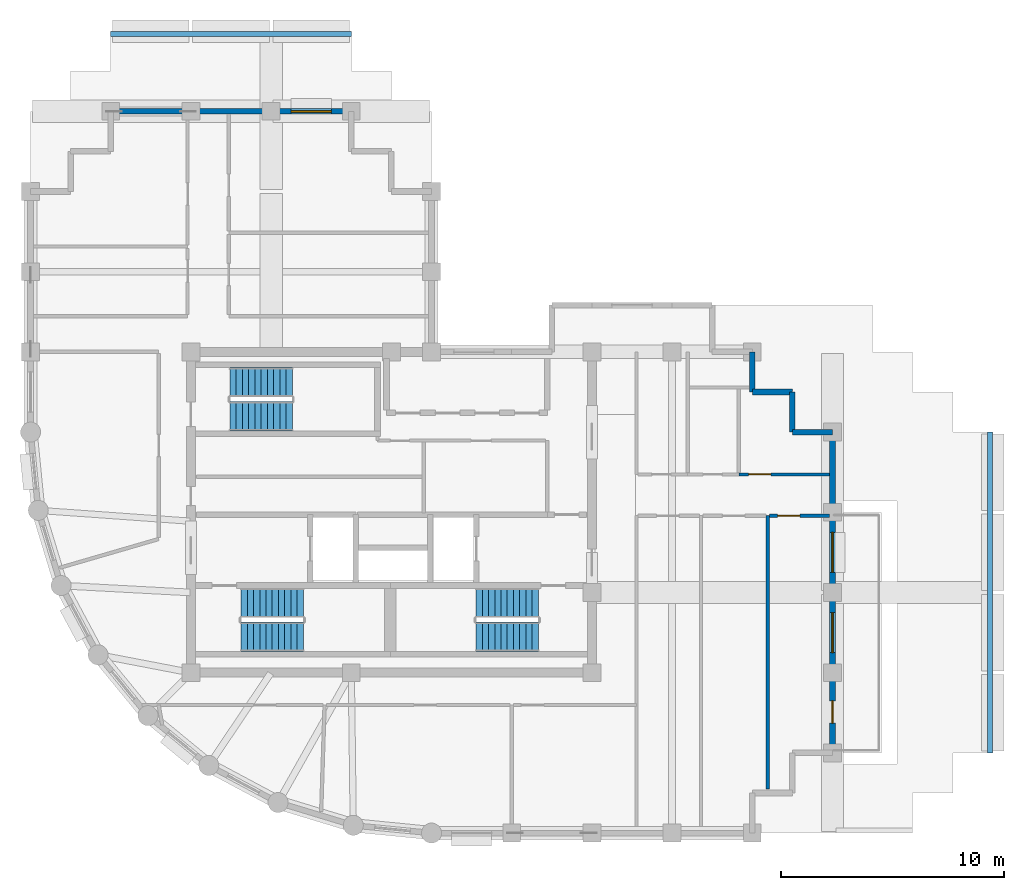
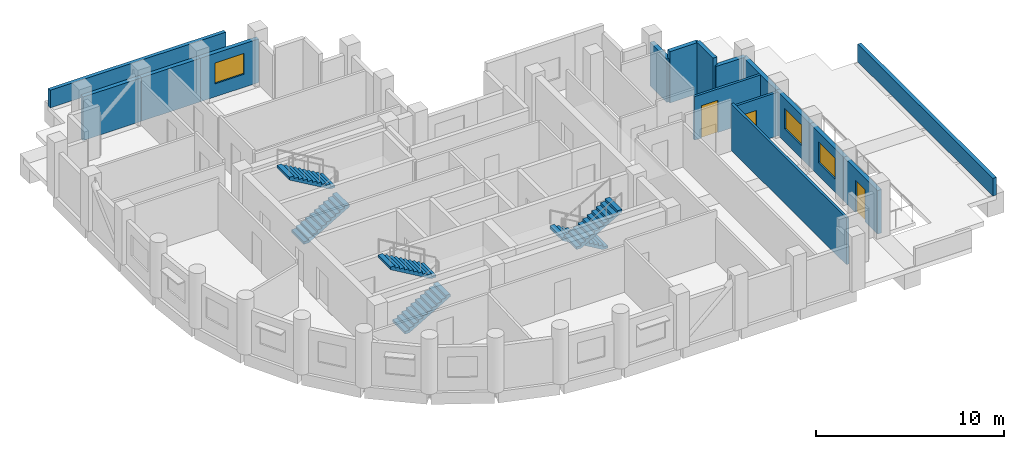
# One storey, part 5 of 7: 16 walls, 6 stair flights, 3 doors, 3 windows, 6 openings, 3 elements without a shape of their own.
"""IFC4 building model written with IfcOpenShell, lengths in metres."""

from ifc_helpers import new_model, si_unit, direction, frame, frame_2d, origin, place, context, subcontext, project, spatial, polyline, rectangle, outline, extrude, material, layer, layer_set, type_object, element, fill, aggregate, save


model = new_model("IFC4")

# Units and contexts
model_context = context("Model", 3, precision=1e-05, world=origin(), true_north=direction((0.0, 1.0)))
body_context = subcontext(model_context, "Body", "Model", "MODEL_VIEW")
ifc_project = project(units=[si_unit("LENGTHUNIT", "METRE"), si_unit("AREAUNIT", "SQUARE_METRE"), si_unit("VOLUMEUNIT", "CUBIC_METRE"), si_unit("PLANEANGLEUNIT", "RADIAN"), si_unit("MASSUNIT", "GRAM", prefix="KILO")], contexts=[model_context])

# Site, building, storey
site_placement = place(None, origin())
site = spatial("IfcSite", under=ifc_project, at=site_placement, CompositionType="ELEMENT")
building_placement = place(site_placement, origin())
building = spatial("IfcBuilding", under=site, at=building_placement, Name="Solnavia Interchange Tower", CompositionType="ELEMENT")
storey_placement = place(building_placement, frame((0.0, 0.0, 221.0)))
storey = spatial("IfcBuildingStorey", under=building, at=storey_placement, Name="L55", CompositionType="ELEMENT", Elevation=221.0)

# Wall, opening, door
ifc_material_1 = material(Name="Concrete C40/50", Category="concrete")
ifc_layer_1 = layer(ifc_material_1, 0.25)
ifc_layer_set_1 = layer_set([ifc_layer_1], Name="Concrete C40/50")
wall_type_1 = type_object("IfcWallType", Name="Wall-ExtSpandrel-250", PredefinedType="STANDARD", material=ifc_layer_set_1)
wall_1_placement = place(storey_placement, frame((43.199951171875, 10.800048828125, 0.0), z_axis=(0.0, 0.0, 1.0), x_axis=(0.0, -1.0, 0.0)))
wall_1 = element("IfcWall", 1, at=wall_1_placement, inside=storey, type_object=wall_type_1, Name="EXW-L55-09 Exterior precast spandrel wall", PredefinedType="STANDARD", context=body_context, shape_type="SweptSolid", body=[
    extrude(rectangle(XDim=3.60009765625, YDim=0.25, at=frame_2d((1.800048828125, 0.0))), origin(), (0.0, 0.0, 1.0), 2.830078125),
])
opening_1_placement = place(wall_1_placement, frame((1.260986328125, 0.0, 0.0)))
opening_1 = element("IfcOpeningElement", 2, at=opening_1_placement, cuts=wall_1, Name="Opening EXD-05", PredefinedType="OPENING", context=body_context, shape_type="SweptSolid", body=[
    extrude(rectangle(XDim=1.0, YDim=2.10009765625, at=frame_2d((0.5, 1.050048828125))), frame((0.0, 0.135009765625, 0.0), z_axis=(0.0, -1.0, 0.0), x_axis=(1.0, 0.0, 0.0)), (0.0, 0.0, 1.0), 0.27001953125),
])
ifc_material_2 = material(Name="Thermally Broken Aluminium & Laminated Glass", Category="aluminium")
door_type_1 = type_object("IfcDoorType", Name="Door-TerraceSingle-1000x2100", OperationType="SINGLE_SWING_LEFT", PredefinedType="DOOR", material=ifc_material_2)
door_1_placement = place(opening_1_placement, origin())
door_1 = element("IfcDoor", 3, at=door_1_placement, inside=storey, type_object=door_type_1, Name="EXD-L55-TER Spiral terrace glazed door", OperationType="SINGLE_SWING_LEFT", OverallHeight=2.10009765625, OverallWidth=1.0, PredefinedType="DOOR", context=body_context, shape_type="SweptSolid", body=[
    extrude(rectangle(XDim=1.0, YDim=2.10009765625, at=frame_2d((0.5, 1.050048828125))), frame((0.0, 0.02490234375, 0.0), z_axis=(0.0, -1.0, 0.0), x_axis=(1.0, 0.0, 0.0)), (0.0, 0.0, 1.0), 0.050048828125),
])
fill(opening_1, door_1)

# Wall, opening, window
wall_2_placement = place(storey_placement, frame((43.199951171875, 14.39990234375, 0.0), z_axis=(0.0, 0.0, 1.0), x_axis=(0.0, -1.0, 0.0)))
wall_2 = element("IfcWall", 4, at=wall_2_placement, inside=storey, type_object=wall_type_1, Name="EXW-L55-10 Exterior precast spandrel wall", PredefinedType="STANDARD", context=body_context, shape_type="SweptSolid", body=[
    extrude(rectangle(XDim=3.599853515625, YDim=0.25, at=frame_2d((1.7998046875, 0.0))), origin(), (0.0, 0.0, 1.0), 2.830078125),
])
opening_2_placement = place(wall_2_placement, frame((0.89990234375, 0.0, 0.85009765625)))
opening_2 = element("IfcOpeningElement", 5, at=opening_2_placement, cuts=wall_2, Name="Opening WIN-02", PredefinedType="OPENING", context=body_context, shape_type="SweptSolid", body=[
    extrude(rectangle(XDim=1.800048828125, YDim=1.35009765625, at=frame_2d((0.89990234375, 0.675048828125))), frame((0.0, 0.135009765625, 0.0), z_axis=(0.0, -1.0, 0.0), x_axis=(1.0, 0.0, 0.0)), (0.0, 0.0, 1.0), 0.27001953125),
])
ifc_material_3 = material(Name="Thermal-Break Aluminium & Low-E Glass", Category="aluminium")
window_type = type_object("IfcWindowType", Name="Window-Ribbon-1800x1350", PartitioningType="SINGLE_PANEL", PredefinedType="WINDOW", material=ifc_material_3)
window_1_placement = place(opening_2_placement, origin())
window_1 = element("IfcWindow", 6, at=window_1_placement, inside=storey, type_object=window_type, Name="WIN-L55-10 Facade ribbon window", OverallHeight=1.35009765625, OverallWidth=1.800048828125, PartitioningType="SINGLE_PANEL", PredefinedType="WINDOW", context=body_context, shape_type="SweptSolid", body=[
    extrude(rectangle(XDim=1.800048828125, YDim=1.35009765625, at=frame_2d((0.89990234375, 0.675048828125))), frame((0.0, 0.030029296875, 0.0), z_axis=(0.0, -1.0, 0.0), x_axis=(1.0, 0.0, 0.0)), (0.0, 0.0, 1.0), 0.06005859375),
])
fill(opening_2, window_1)

wall_3_placement = place(storey_placement, frame((43.199951171875, 18.0, 0.0), z_axis=(0.0, 0.0, 1.0), x_axis=(0.0, -1.0, 0.0)))
wall_3 = element("IfcWall", 7, at=wall_3_placement, inside=storey, type_object=wall_type_1, Name="EXW-L55-11 Exterior precast spandrel wall", PredefinedType="STANDARD", context=body_context, shape_type="SweptSolid", body=[
    extrude(rectangle(XDim=3.60009765625, YDim=0.25, at=frame_2d((1.800048828125, 0.0))), origin(), (0.0, 0.0, 1.0), 2.830078125),
])
opening_3_placement = place(wall_3_placement, frame((0.89990234375, 0.0, 0.85009765625)))
opening_3 = element("IfcOpeningElement", 8, at=opening_3_placement, cuts=wall_3, Name="Opening WIN-02", PredefinedType="OPENING", context=body_context, shape_type="SweptSolid", body=[
    extrude(rectangle(XDim=1.800048828125, YDim=1.35009765625, at=frame_2d((0.89990234375, 0.675048828125))), frame((0.0, 0.135009765625, 0.0), z_axis=(0.0, -1.0, 0.0), x_axis=(1.0, 0.0, 0.0)), (0.0, 0.0, 1.0), 0.27001953125),
])
window_2_placement = place(opening_3_placement, origin())
window_2 = element("IfcWindow", 9, at=window_2_placement, inside=storey, type_object=window_type, Name="WIN-L55-11 Facade ribbon window", OverallHeight=1.35009765625, OverallWidth=1.800048828125, PartitioningType="SINGLE_PANEL", PredefinedType="WINDOW", context=body_context, shape_type="SweptSolid", body=[
    extrude(rectangle(XDim=1.800048828125, YDim=1.35009765625, at=frame_2d((0.89990234375, 0.675048828125))), frame((0.0, 0.030029296875, 0.0), z_axis=(0.0, -1.0, 0.0), x_axis=(1.0, 0.0, 0.0)), (0.0, 0.0, 1.0), 0.06005859375),
])
fill(opening_3, window_2)

# Walls
wall_4_placement = place(storey_placement, frame((43.199951171875, 21.60009765625, 0.0), z_axis=(0.0, 0.0, 1.0), x_axis=(0.0, -1.0, 0.0)))
element("IfcWall", 10, at=wall_4_placement, inside=storey, type_object=wall_type_1, Name="EXW-L55-12 Exterior precast spandrel wall", PredefinedType="STANDARD", context=body_context, shape_type="SweptSolid", body=[
    extrude(rectangle(XDim=3.60009765625, YDim=0.25, at=frame_2d((1.800048828125, 0.0))), origin(), (0.0, 0.0, 1.0), 2.830078125),
])
wall_5_placement = place(storey_placement, frame((41.39990234375, 21.60009765625, 0.0), z_axis=(0.0, 0.0, 1.0), x_axis=(1.0, 0.0, 0.0)))
element("IfcWall", 11, at=wall_5_placement, inside=storey, type_object=wall_type_1, Name="EXW-L55-13 Exterior precast spandrel wall", PredefinedType="STANDARD", context=body_context, shape_type="SweptSolid", body=[
    extrude(rectangle(XDim=1.800048828125, YDim=0.25, at=frame_2d((0.89990234375, 0.0))), origin(), (0.0, 0.0, 1.0), 2.830078125),
])
for number, where, z_axis, x_axis, name in (
    (12, (41.39990234375, 23.39990234375, 0.0), (0.0, 0.0, 1.0), (0.0, -1.0, 0.0), "EXW-L55-14 Exterior precast spandrel wall"),
    (13, (39.60009765625, 23.39990234375, 0.0), (0.0, 0.0, 1.0), (1.0, 0.0, 0.0), "EXW-L55-15 Exterior precast spandrel wall"),
):
    element("IfcWall", number, at=place(storey_placement, frame(where, z_axis=z_axis, x_axis=x_axis)), inside=storey, type_object=wall_type_1, Name=name, PredefinedType="STANDARD", context=body_context, shape_type="SweptSolid", body=[
        extrude(rectangle(XDim=1.7998046875, YDim=0.25, at=frame_2d((0.89990234375, 0.0))), origin(), (0.0, 0.0, 1.0), 3.3349609375),
    ])
wall_6_placement = place(storey_placement, frame((39.60009765625, 25.199951171875, 0.0), z_axis=(0.0, 0.0, 1.0), x_axis=(0.0, -1.0, 0.0)))
element("IfcWall", 14, at=wall_6_placement, inside=storey, type_object=wall_type_1, Name="EXW-L55-16 Exterior precast spandrel wall", PredefinedType="STANDARD", context=body_context, shape_type="SweptSolid", body=[
    extrude(rectangle(XDim=1.800048828125, YDim=0.25, at=frame_2d((0.89990234375, 0.0))), origin(), (0.0, 0.0, 1.0), 2.830078125),
])

# Wall, opening, window
wall_7_placement = place(storey_placement, frame((18.0, 36.0, 0.0), z_axis=(0.0, 0.0, 1.0), x_axis=(1.0, 0.0, 0.0)))
wall_7 = element("IfcWall", 15, at=wall_7_placement, inside=storey, type_object=wall_type_1, Name="EXW-L55-31 Exterior precast spandrel wall", PredefinedType="STANDARD", context=body_context, shape_type="SweptSolid", body=[
    extrude(rectangle(XDim=3.60009765625, YDim=0.25, at=frame_2d((1.800048828125, 0.0))), origin(), (0.0, 0.0, 1.0), 2.830078125),
])
opening_4_placement = place(wall_7_placement, frame((0.89990234375, 0.0, 0.85009765625)))
opening_4 = element("IfcOpeningElement", 16, at=opening_4_placement, cuts=wall_7, Name="Opening WIN-02", PredefinedType="OPENING", context=body_context, shape_type="SweptSolid", body=[
    extrude(rectangle(XDim=1.800048828125, YDim=1.35009765625, at=frame_2d((0.89990234375, 0.675048828125))), frame((0.0, 0.135009765625, 0.0), z_axis=(0.0, -1.0, 0.0), x_axis=(1.0, 0.0, 0.0)), (0.0, 0.0, 1.0), 0.27001953125),
])
window_3_placement = place(opening_4_placement, origin())
window_3 = element("IfcWindow", 17, at=window_3_placement, inside=storey, type_object=window_type, Name="WIN-L55-31 Facade ribbon window", OverallHeight=1.35009765625, OverallWidth=1.800048828125, PartitioningType="SINGLE_PANEL", PredefinedType="WINDOW", context=body_context, shape_type="SweptSolid", body=[
    extrude(rectangle(XDim=1.800048828125, YDim=1.35009765625, at=frame_2d((0.89990234375, 0.675048828125))), frame((0.0, 0.030029296875, 0.0), z_axis=(0.0, -1.0, 0.0), x_axis=(1.0, 0.0, 0.0)), (0.0, 0.0, 1.0), 0.06005859375),
])
fill(opening_4, window_3)

# Walls
wall_8_placement = place(storey_placement, frame((14.39990234375, 36.0, 0.0), z_axis=(0.0, 0.0, 1.0), x_axis=(1.0, 0.0, 0.0)))
element("IfcWall", 18, at=wall_8_placement, inside=storey, type_object=wall_type_1, Name="EXW-L55-32 Exterior precast spandrel wall", PredefinedType="STANDARD", context=body_context, shape_type="SweptSolid", body=[
    extrude(rectangle(XDim=3.60009765625, YDim=0.25, at=frame_2d((1.800048828125, 0.0))), origin(), (0.0, 0.0, 1.0), 2.830078125),
])
wall_9_placement = place(storey_placement, frame((10.800048828125, 36.0, 0.0), z_axis=(0.0, 0.0, 1.0), x_axis=(1.0, 0.0, 0.0)))
element("IfcWall", 19, at=wall_9_placement, inside=storey, type_object=wall_type_1, Name="EXW-L55-33 Exterior precast spandrel wall", PredefinedType="STANDARD", context=body_context, shape_type="SweptSolid", body=[
    extrude(rectangle(XDim=3.599853515625, YDim=0.25, at=frame_2d((1.7998046875, 0.0))), origin(), (0.0, 0.0, 1.0), 2.830078125),
])
ifc_layer_2 = layer(ifc_material_1, 0.219970703125)
ifc_layer_set_2 = layer_set([ifc_layer_2], Name="Concrete C40/50")
wall_type_2 = type_object("IfcWallType", Name="Wall-Parapet-220", PredefinedType="PARAPET", material=ifc_layer_set_2)
wall_10_placement = place(storey_placement, frame((50.280029296875, 7.199951171875, 0.0), z_axis=(0.0, 0.0, 1.0), x_axis=(0.0, 1.0, 0.0)))
element("IfcWall", 20, at=wall_10_placement, inside=storey, type_object=wall_type_2, Name="PRP-L55-E2 Setback roof parapet", PredefinedType="PARAPET", context=body_context, shape_type="SweptSolid", body=[
    extrude(rectangle(XDim=14.400146484375, YDim=0.219970703125, at=frame_2d((7.2001953125, 0.0))), origin(), (0.0, 0.0, 1.0), 1.14990234375),
])
wall_11_placement = place(storey_placement, frame((10.800048828125, 39.47998046875, 0.0), z_axis=(0.0, 0.0, 1.0), x_axis=(1.0, 0.0, 0.0)))
element("IfcWall", 21, at=wall_11_placement, inside=storey, type_object=wall_type_2, Name="PRP-L55-N1 North setback roof parapet", PredefinedType="PARAPET", context=body_context, shape_type="SweptSolid", body=[
    extrude(rectangle(XDim=10.800048828125, YDim=0.219970703125, at=frame_2d((5.39990234375, 0.0))), origin(), (0.0, 0.0, 1.0), 1.14990234375),
])
ifc_material_4 = material(Name="Gypsum Plasterboard & Steel Stud", Category="steel")
ifc_layer_3 = layer(ifc_material_4, 0.14990234375)
ifc_layer_set_3 = layer_set([ifc_layer_3], Name="Gypsum Plasterboard & Steel Stud")
wall_type_3 = type_object("IfcWallType", Name="Wall-Partition-150", PredefinedType="PARTITIONING", material=ifc_layer_set_3)
wall_12_placement = place(storey_placement, frame((40.300048828125, 5.580078125, 0.0), z_axis=(0.0, 0.0, 1.0), x_axis=(0.0, 1.0, 0.0)))
element("IfcWall", 22, at=wall_12_placement, inside=storey, type_object=wall_type_3, Name="PTW-L55-20 Interior partition wall", PredefinedType="PARTITIONING", context=body_context, shape_type="SweptSolid", body=[
    extrude(rectangle(XDim=12.27001953125, YDim=0.14990234375, at=frame_2d((6.135009765625, 0.0))), origin(), (0.0, 0.0, 1.0), 3.030029296875),
])

# Wall, opening, door
wall_13_placement = place(storey_placement, frame((40.37890625, 17.85009765625, 0.0), z_axis=(0.0, 0.0, 1.0), x_axis=(1.0, 0.0, 0.0)))
wall_13 = element("IfcWall", 23, at=wall_13_placement, inside=storey, type_object=wall_type_3, Name="PTW-L55-22 Interior partition wall", PredefinedType="PARTITIONING", context=body_context, shape_type="SweptSolid", body=[
    extrude(rectangle(XDim=2.692138671875, YDim=0.14990234375, at=frame_2d((1.34619140625, 0.0))), origin(), (0.0, 0.0, 1.0), 2.830078125),
])
opening_5_placement = place(wall_13_placement, frame((0.360107421875, 0.0, 0.0)))
opening_5 = element("IfcOpeningElement", 24, at=opening_5_placement, cuts=wall_13, Name="Opening DR-07", PredefinedType="OPENING", context=body_context, shape_type="SweptSolid", body=[
    extrude(rectangle(XDim=1.0, YDim=2.10009765625, at=frame_2d((0.5, 1.050048828125))), frame((0.0, 0.0849609375, 0.0), z_axis=(0.0, -1.0, 0.0), x_axis=(1.0, 0.0, 0.0)), (0.0, 0.0, 1.0), 0.169921875),
])
ifc_material_5 = material(Name="Timber & Acoustic Glazed Office Door", Category="wood")
door_type_2 = type_object("IfcDoorType", Name="Door-Office-1000x2100", OperationType="SINGLE_SWING_RIGHT", PredefinedType="DOOR", material=ifc_material_5)
door_2_placement = place(opening_5_placement, origin())
door_2 = element("IfcDoor", 25, at=door_2_placement, inside=storey, type_object=door_type_2, Name="DR-L55-10 Interior room door", OperationType="SINGLE_SWING_LEFT", OverallHeight=2.10009765625, OverallWidth=1.0, PredefinedType="DOOR", context=body_context, shape_type="SweptSolid", body=[
    extrude(rectangle(XDim=1.0, YDim=2.10009765625, at=frame_2d((0.5, 1.050048828125))), frame((0.0, 0.02490234375, 0.0), z_axis=(0.0, -1.0, 0.0), x_axis=(1.0, 0.0, 0.0)), (0.0, 0.0, 1.0), 0.050048828125),
])
fill(opening_5, door_2)

wall_14_placement = place(storey_placement, frame((39.0, 19.699951171875, 0.0), z_axis=(0.0, 0.0, 1.0), x_axis=(1.0, 0.0, 0.0)))
wall_14 = element("IfcWall", 26, at=wall_14_placement, inside=storey, type_object=wall_type_3, Name="PTW-L55-23 Interior partition wall", PredefinedType="PARTITIONING", context=body_context, shape_type="SweptSolid", body=[
    extrude(rectangle(XDim=4.071044921875, YDim=0.14990234375, at=frame_2d((2.03564453125, 0.0))), origin(), (0.0, 0.0, 1.0), 2.830078125),
])
opening_6_placement = place(wall_14_placement, frame((0.43798828125, 0.0, 0.0)))
opening_6 = element("IfcOpeningElement", 27, at=opening_6_placement, cuts=wall_14, Name="Opening DR-07", PredefinedType="OPENING", context=body_context, shape_type="SweptSolid", body=[
    extrude(rectangle(XDim=1.0, YDim=2.10009765625, at=frame_2d((0.5, 1.050048828125))), frame((0.0, 0.0849609375, 0.0), z_axis=(0.0, -1.0, 0.0), x_axis=(1.0, 0.0, 0.0)), (0.0, 0.0, 1.0), 0.169921875),
])
door_3_placement = place(opening_6_placement, origin())
door_3 = element("IfcDoor", 28, at=door_3_placement, inside=storey, type_object=door_type_2, Name="DR-L55-11 Interior room door", OperationType="SINGLE_SWING_RIGHT", OverallHeight=2.10009765625, OverallWidth=1.0, PredefinedType="DOOR", context=body_context, shape_type="SweptSolid", body=[
    extrude(rectangle(XDim=1.0, YDim=2.10009765625, at=frame_2d((0.5, 1.050048828125))), frame((0.0, 0.02490234375, 0.0), z_axis=(0.0, -1.0, 0.0), x_axis=(1.0, 0.0, 0.0)), (0.0, 0.0, 1.0), 0.050048828125),
])
fill(opening_6, door_3)

# Stair, stair flights
stair_type = type_object("IfcStairType", Name="Stair-Dogleg-RC", PredefinedType="HALF_TURN_STAIR", material=ifc_material_1)
stair_1_placement = place(storey_placement, origin())
stair_1 = element("IfcStair", 29, at=stair_1_placement, inside=storey, type_object=stair_type, Name="L55 Core exit stair 1", PredefinedType="HALF_TURN_STAIR")
stair_flight_type = type_object("IfcStairFlightType", Name="StairFlight-RC-150", PredefinedType="STRAIGHT", material=ifc_material_1)
stair_flight_1_placement = place(storey_placement, frame((16.64990234375, 12.409912109375, 0.0), z_axis=(0.0, 0.0, 1.0), x_axis=(1.0, 0.0, 0.0)))
stair_flight_1 = element("IfcStairFlight", 30, at=stair_flight_1_placement, type_object=stair_flight_type, Name="ST-1 flight 1", NumberOfRisers=11, NumberOfTreads=10, PredefinedType="STRAIGHT", RiserHeight=0.163636364, TreadLength=0.28, context=body_context, shape_type="SweptSolid", body=[
    extrude(outline(polyline([(0.0, 0.0), (0.0, 0.16357421875), (0.280029296875, 0.16357421875), (0.280029296875, 0.327392578125), (0.56005859375, 0.327392578125), (0.56005859375, 0.490966796875), (0.840087890625, 0.490966796875), (0.840087890625, 0.654541015625), (1.1201171875, 0.654541015625), (1.1201171875, 0.818115234375), (1.39990234375, 0.818115234375), (1.39990234375, 0.98193359375), (1.679931640625, 0.98193359375), (1.679931640625, 1.1455078125), (1.9599609375, 1.1455078125), (1.9599609375, 1.30908203125), (2.239990234375, 1.30908203125), (2.239990234375, 1.47265625), (2.52001953125, 1.47265625), (2.52001953125, 1.636474609375), (2.800048828125, 1.636474609375), (2.800048828125, 1.800048828125), (2.800048828125, 1.462646484375), (0.297119140625, 0.0), (0.0, 0.0)])), frame((0.0, 0.66015625, 0.0), z_axis=(0.0, -1.0, 0.0), x_axis=(1.0, 0.0, 0.0)), (0.0, 0.0, 1.0), 1.320068359375),
])
stair_flight_2_placement = place(storey_placement, frame((19.449951171875, 13.929931640625, 1.800048828125), z_axis=(0.0, 0.0, 1.0), x_axis=(-1.0, 0.0, 0.0)))
stair_flight_2 = element("IfcStairFlight", 31, at=stair_flight_2_placement, type_object=stair_flight_type, Name="ST-1 flight 2", NumberOfRisers=11, NumberOfTreads=10, PredefinedType="STRAIGHT", RiserHeight=0.163636364, TreadLength=0.28, context=body_context, shape_type="SweptSolid", body=[
    extrude(outline(polyline([(0.0, 0.0), (0.0, 0.16357421875), (0.280029296875, 0.16357421875), (0.280029296875, 0.327392578125), (0.56005859375, 0.327392578125), (0.56005859375, 0.490966796875), (0.840087890625, 0.490966796875), (0.840087890625, 0.654541015625), (1.1201171875, 0.654541015625), (1.1201171875, 0.818115234375), (1.39990234375, 0.818115234375), (1.39990234375, 0.98193359375), (1.679931640625, 0.98193359375), (1.679931640625, 1.1455078125), (1.9599609375, 1.1455078125), (1.9599609375, 1.30908203125), (2.239990234375, 1.30908203125), (2.239990234375, 1.47265625), (2.52001953125, 1.47265625), (2.52001953125, 1.636474609375), (2.800048828125, 1.636474609375), (2.800048828125, 1.800048828125), (2.800048828125, 1.462646484375), (0.297119140625, 0.0), (0.0, 0.0)])), frame((0.0, 0.66015625, 0.0), z_axis=(0.0, -1.0, 0.0), x_axis=(1.0, 0.0, 0.0)), (0.0, 0.0, 1.0), 1.320068359375),
])
aggregate(stair_1, [stair_flight_1, stair_flight_2])

stair_2_placement = place(storey_placement, origin())
stair_2 = element("IfcStair", 32, at=stair_2_placement, inside=storey, type_object=stair_type, Name="L55 Core exit stair 2", PredefinedType="HALF_TURN_STAIR")
stair_flight_3_placement = place(storey_placement, frame((30.0, 13.929931640625, 0.0), z_axis=(0.0, 0.0, 1.0), x_axis=(-1.0, 0.0, 0.0)))
stair_flight_3 = element("IfcStairFlight", 33, at=stair_flight_3_placement, type_object=stair_flight_type, Name="ST-2 flight 1", NumberOfRisers=11, NumberOfTreads=10, PredefinedType="STRAIGHT", RiserHeight=0.163636364, TreadLength=0.28, context=body_context, shape_type="SweptSolid", body=[
    extrude(outline(polyline([(0.0, 0.0), (0.0, 0.16357421875), (0.280029296875, 0.16357421875), (0.280029296875, 0.327392578125), (0.56005859375, 0.327392578125), (0.56005859375, 0.490966796875), (0.840087890625, 0.490966796875), (0.840087890625, 0.654541015625), (1.1201171875, 0.654541015625), (1.1201171875, 0.818115234375), (1.39990234375, 0.818115234375), (1.39990234375, 0.98193359375), (1.679931640625, 0.98193359375), (1.679931640625, 1.1455078125), (1.9599609375, 1.1455078125), (1.9599609375, 1.30908203125), (2.239990234375, 1.30908203125), (2.239990234375, 1.47265625), (2.52001953125, 1.47265625), (2.52001953125, 1.636474609375), (2.800048828125, 1.636474609375), (2.800048828125, 1.800048828125), (2.800048828125, 1.462646484375), (0.297119140625, 0.0), (0.0, 0.0)])), frame((0.0, 0.66015625, 0.0), z_axis=(0.0, -1.0, 0.0), x_axis=(1.0, 0.0, 0.0)), (0.0, 0.0, 1.0), 1.320068359375),
])
stair_flight_4_placement = place(storey_placement, frame((27.199951171875, 12.409912109375, 1.800048828125), z_axis=(0.0, 0.0, 1.0), x_axis=(1.0, 0.0, 0.0)))
stair_flight_4 = element("IfcStairFlight", 34, at=stair_flight_4_placement, type_object=stair_flight_type, Name="ST-2 flight 2", NumberOfRisers=11, NumberOfTreads=10, PredefinedType="STRAIGHT", RiserHeight=0.163636364, TreadLength=0.28, context=body_context, shape_type="SweptSolid", body=[
    extrude(outline(polyline([(0.0, 0.0), (0.0, 0.16357421875), (0.280029296875, 0.16357421875), (0.280029296875, 0.327392578125), (0.56005859375, 0.327392578125), (0.56005859375, 0.490966796875), (0.840087890625, 0.490966796875), (0.840087890625, 0.654541015625), (1.1201171875, 0.654541015625), (1.1201171875, 0.818115234375), (1.39990234375, 0.818115234375), (1.39990234375, 0.98193359375), (1.679931640625, 0.98193359375), (1.679931640625, 1.1455078125), (1.9599609375, 1.1455078125), (1.9599609375, 1.30908203125), (2.239990234375, 1.30908203125), (2.239990234375, 1.47265625), (2.52001953125, 1.47265625), (2.52001953125, 1.636474609375), (2.800048828125, 1.636474609375), (2.800048828125, 1.800048828125), (2.800048828125, 1.462646484375), (0.297119140625, 0.0), (0.0, 0.0)])), frame((0.0, 0.66015625, 0.0), z_axis=(0.0, -1.0, 0.0), x_axis=(1.0, 0.0, 0.0)), (0.0, 0.0, 1.0), 1.320068359375),
])
aggregate(stair_2, [stair_flight_3, stair_flight_4])

stair_3_placement = place(storey_placement, origin())
stair_3 = element("IfcStair", 35, at=stair_3_placement, inside=storey, type_object=stair_type, Name="L55 Core exit stair 3", PredefinedType="HALF_TURN_STAIR")
stair_flight_5_placement = place(storey_placement, frame((16.14990234375, 22.31005859375, 0.0), z_axis=(0.0, 0.0, 1.0), x_axis=(1.0, 0.0, 0.0)))
stair_flight_5 = element("IfcStairFlight", 36, at=stair_flight_5_placement, type_object=stair_flight_type, Name="ST-3 flight 1", NumberOfRisers=11, NumberOfTreads=10, PredefinedType="STRAIGHT", RiserHeight=0.163636364, TreadLength=0.28, context=body_context, shape_type="SweptSolid", body=[
    extrude(outline(polyline([(0.0, 0.0), (0.0, 0.16357421875), (0.280029296875, 0.16357421875), (0.280029296875, 0.327392578125), (0.56005859375, 0.327392578125), (0.56005859375, 0.490966796875), (0.840087890625, 0.490966796875), (0.840087890625, 0.654541015625), (1.1201171875, 0.654541015625), (1.1201171875, 0.818115234375), (1.39990234375, 0.818115234375), (1.39990234375, 0.98193359375), (1.679931640625, 0.98193359375), (1.679931640625, 1.1455078125), (1.9599609375, 1.1455078125), (1.9599609375, 1.30908203125), (2.239990234375, 1.30908203125), (2.239990234375, 1.47265625), (2.52001953125, 1.47265625), (2.52001953125, 1.636474609375), (2.800048828125, 1.636474609375), (2.800048828125, 1.800048828125), (2.800048828125, 1.462646484375), (0.297119140625, 0.0), (0.0, 0.0)])), frame((0.0, 0.66015625, 0.0), z_axis=(0.0, -1.0, 0.0), x_axis=(1.0, 0.0, 0.0)), (0.0, 0.0, 1.0), 1.320068359375),
])
stair_flight_6_placement = place(storey_placement, frame((18.949951171875, 23.830078125, 1.800048828125), z_axis=(0.0, 0.0, 1.0), x_axis=(-1.0, 0.0, 0.0)))
stair_flight_6 = element("IfcStairFlight", 37, at=stair_flight_6_placement, type_object=stair_flight_type, Name="ST-3 flight 2", NumberOfRisers=11, NumberOfTreads=10, PredefinedType="STRAIGHT", RiserHeight=0.163636364, TreadLength=0.28, context=body_context, shape_type="SweptSolid", body=[
    extrude(outline(polyline([(0.0, 0.0), (0.0, 0.16357421875), (0.280029296875, 0.16357421875), (0.280029296875, 0.327392578125), (0.56005859375, 0.327392578125), (0.56005859375, 0.490966796875), (0.840087890625, 0.490966796875), (0.840087890625, 0.654541015625), (1.1201171875, 0.654541015625), (1.1201171875, 0.818115234375), (1.39990234375, 0.818115234375), (1.39990234375, 0.98193359375), (1.679931640625, 0.98193359375), (1.679931640625, 1.1455078125), (1.9599609375, 1.1455078125), (1.9599609375, 1.30908203125), (2.239990234375, 1.30908203125), (2.239990234375, 1.47265625), (2.52001953125, 1.47265625), (2.52001953125, 1.636474609375), (2.800048828125, 1.636474609375), (2.800048828125, 1.800048828125), (2.800048828125, 1.462646484375), (0.297119140625, 0.0), (0.0, 0.0)])), frame((0.0, 0.66015625, 0.0), z_axis=(0.0, -1.0, 0.0), x_axis=(1.0, 0.0, 0.0)), (0.0, 0.0, 1.0), 1.320068359375),
])
aggregate(stair_3, [stair_flight_5, stair_flight_6])

save(model, "model.ifc")
